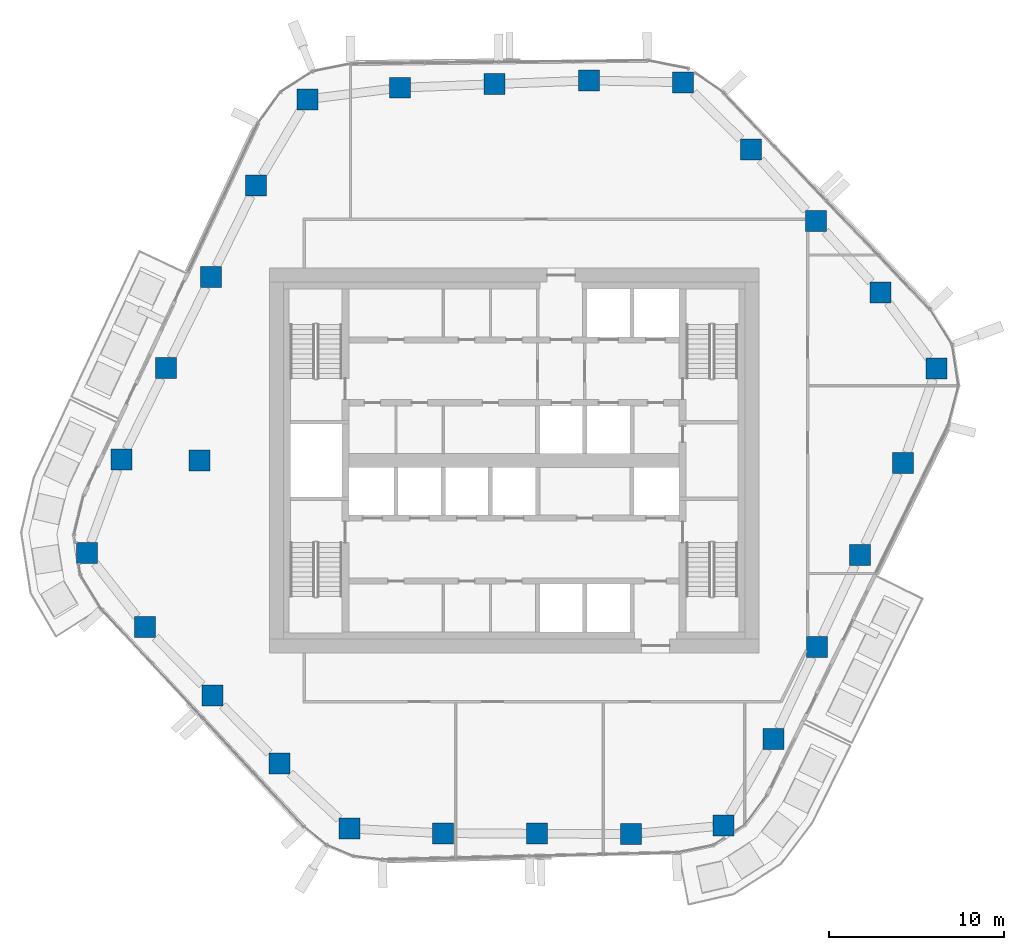
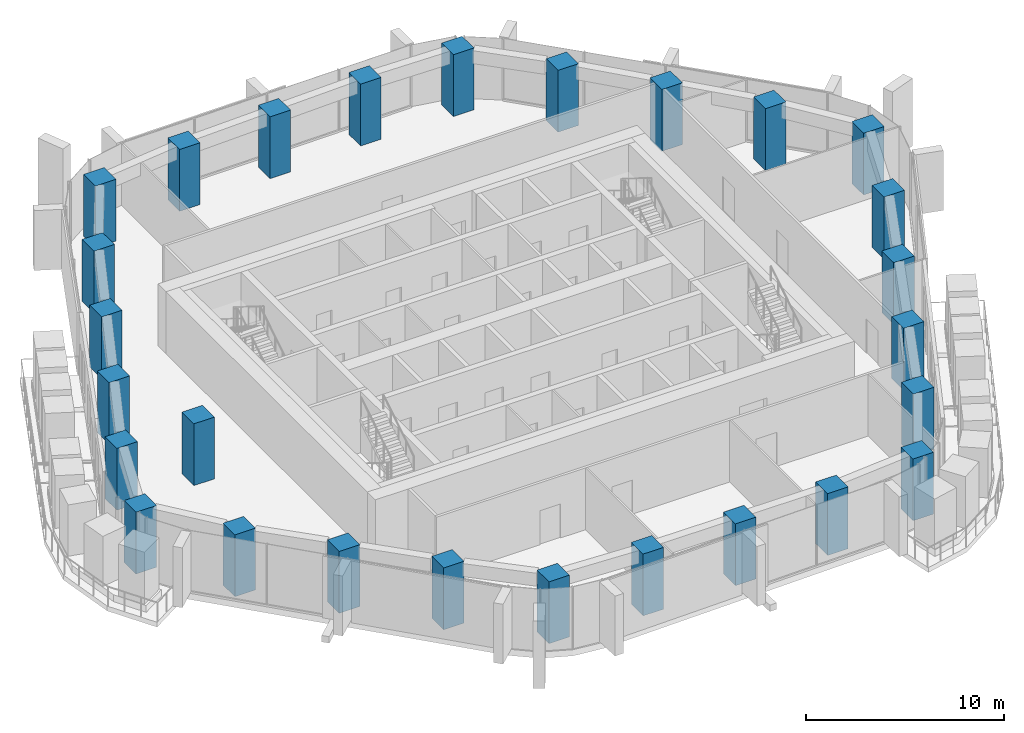
# One storey, part 1 of 17: 27 columns.
"""IFC4 building model written with IfcOpenShell, lengths in metres."""

import ifcopenshell
import ifcopenshell.guid

model = None  # the IFC model being written
_history = None  # IfcOwnerHistory: only IFC2X3 demands one
_inside = {}  # id of a spatial element -> (the spatial element, [elements in it])
_under = {}  # id of a project, library or spatial element -> (it, [spatial elements below it])
_declared = {}  # id of a project -> (the project, [libraries it declares])
_typed = {}  # id of a type object -> (the type object, [elements of that type])
_made_of = {}  # id of a material, layer set ... -> (it, [elements and type objects made of it])


def new_model(schema):
    """Start an empty IFC model of exactly this schema.

    Asked for "IFC4X3", IfcOpenShell would pick the latest addendum, in which some entities
    have other attributes; the version numbers below select the first issue.
    IFC2X3 requires an IfcOwnerHistory on every rooted entity: one is made here for all.
    """
    global model, _history
    if schema == "IFC4X3":
        model = ifcopenshell.file(schema_version=(4, 3, 0, 0))
    else:
        model = ifcopenshell.file(schema=schema)
    _inside.clear()
    _under.clear()
    _declared.clear()
    _typed.clear()
    _made_of.clear()
    _history = None
    if model.schema == "IFC2X3":
        org = make("IfcOrganization", Name="unknown")
        user = make(
            "IfcPersonAndOrganization",
            ThePerson=make("IfcPerson", FamilyName="unknown"),
            TheOrganization=org,
        )
        app = make(
            "IfcApplication",
            ApplicationDeveloper=org,
            Version="unknown",
            ApplicationFullName="unknown",
            ApplicationIdentifier="unknown",
        )
        _history = make(
            "IfcOwnerHistory",
            OwningUser=user,
            OwningApplication=app,
            ChangeAction="ADDED",
            CreationDate=0,
        )
    return model


def make(cls, **values):
    """One entity of the class cls with the attributes given. An attribute that is None is left unset."""
    return model.create_entity(
        cls, **{name: value for name, value in values.items() if value is not None}
    )


def rooted(cls, **values):
    """An entity with a GlobalId (a new one), such as an element, a storey or a relation."""
    return make(cls, GlobalId=ifcopenshell.guid.new(), OwnerHistory=_history, **values)


def si_unit(unit_type, name, prefix=None):
    """IfcSIUnit, for example si_unit("LENGTHUNIT", "METRE", prefix="MILLI")."""
    return make("IfcSIUnit", UnitType=unit_type, Prefix=prefix, Name=name)


def assignment(units):
    """IfcUnitAssignment: the units of a project."""
    return None if units is None else make("IfcUnitAssignment", Units=units)


def point(xyz):
    """IfcCartesianPoint."""
    return None if xyz is None else make("IfcCartesianPoint", Coordinates=xyz)


def direction(xyz):
    """IfcDirection."""
    return None if xyz is None else make("IfcDirection", DirectionRatios=xyz)


def frame(location, z_axis=None, x_axis=None):
    """IfcAxis2Placement3D, a coordinate frame: its origin and axes. An axis left out is left unset."""
    return make(
        "IfcAxis2Placement3D",
        Location=point(location),
        Axis=direction(z_axis),
        RefDirection=direction(x_axis),
    )


def frame_2d(location, x_axis=None):
    """IfcAxis2Placement2D, a coordinate frame in the plane: its origin and x axis."""
    return make(
        "IfcAxis2Placement2D", Location=point(location), RefDirection=direction(x_axis)
    )


def origin():
    """The frame at (0, 0, 0) with its axes left unset."""
    return frame((0.0, 0.0, 0.0))


def origin_2d():
    """The frame at (0, 0) in the plane with its x axis left unset."""
    return frame_2d((0.0, 0.0))


def place(relative_to, where):
    """IfcLocalPlacement: puts the frame where relative to a parent placement (None: the world)."""
    return make(
        "IfcLocalPlacement", PlacementRelTo=relative_to, RelativePlacement=where
    )


def context(
    kind, dimensions, precision=None, world=None, true_north=None, identifier=None
):
    """IfcGeometricRepresentationContext, for example the 3D "Model" context."""
    return make(
        "IfcGeometricRepresentationContext",
        ContextIdentifier=identifier,
        ContextType=kind,
        CoordinateSpaceDimension=dimensions,
        Precision=precision,
        WorldCoordinateSystem=world,
        TrueNorth=true_north,
    )


def subcontext(parent, identifier, kind, view, scale=None):
    """IfcGeometricRepresentationSubContext, for example "Body" below "Model"."""
    return make(
        "IfcGeometricRepresentationSubContext",
        ContextIdentifier=identifier,
        ContextType=kind,
        ParentContext=parent,
        TargetScale=scale,
        TargetView=view,
    )


def project(units=None, contexts=None):
    """IfcProject with its units and contexts."""
    return rooted(
        "IfcProject",
        Name="project",
        RepresentationContexts=contexts,
        UnitsInContext=assignment(units),
    )


def spatial(cls, under=None, at=None, **own):
    """A site, building, storey or space (cls), placed at a placement, below another one or the project."""
    s = rooted(cls, ObjectPlacement=at, **own)
    if under is not None:
        _under.setdefault(under.id(), (under, []))[1].append(s)
    return s


def profile(cls, at=None, kind="AREA", **sizes):
    """A parametric profile (cls). Its sizes go by their IFC names, for example OverallWidth=200.0."""
    return make(cls, ProfileType=kind, Position=at, **sizes)


def rectangle(**sizes):
    """IfcRectangleProfileDef."""
    return profile("IfcRectangleProfileDef", **sizes)


def extrude(swept, where, along, depth):
    """IfcExtrudedAreaSolid: the profile swept, set in the frame where, extruded along a direction by depth."""
    return make(
        "IfcExtrudedAreaSolid",
        SweptArea=swept,
        Position=where,
        ExtrudedDirection=direction(along),
        Depth=depth,
    )


def shape(context_of_items, identifier, shape_type, items):
    """IfcShapeRepresentation: the items that make up one representation, for example the "Body"."""
    return make(
        "IfcShapeRepresentation",
        ContextOfItems=context_of_items,
        RepresentationIdentifier=identifier,
        RepresentationType=shape_type,
        Items=items,
    )


def material(Name=None, Category=None):
    """IfcMaterial."""
    return make("IfcMaterial", Name=Name, Category=Category)


def material_profile(
    of_material, cross_section, Name=None, Category=None, Priority=None
):
    """IfcMaterialProfile: a cross section and its material."""
    return make(
        "IfcMaterialProfile",
        Name=Name,
        Material=of_material,
        Profile=cross_section,
        Priority=Priority,
        Category=Category,
    )


def profile_set(profiles, Name=None, composite=None):
    """IfcMaterialProfileSet."""
    return make(
        "IfcMaterialProfileSet",
        Name=Name,
        MaterialProfiles=profiles,
        CompositeProfile=composite,
    )


def made_of(thing, what):
    """Note that an element or type object is made of a material, layer set ...; save() writes the relation."""
    if what is not None:
        _made_of.setdefault(what.id(), (what, []))[1].append(thing)
    return thing


def type_object(cls, material=None, **own):
    """A type object (cls), such as IfcWallType, which elements share."""
    return made_of(rooted(cls, **own), material)


def element(
    cls,
    number,
    at=None,
    inside=None,
    cuts=None,
    type_object=None,
    material=None,
    context=None,
    identifier="Body",
    shape_type=None,
    held_by="IfcProductDefinitionShape",
    body=None,
    shapes=None,
    **own,
):
    """One element of the class cls, such as IfcWall. Its Tag is "e" and its number.

    at: its placement. inside: the storey or other place that contains it. cuts: it is an
    opening in that element (IfcRelVoidsElement). A single representation is given by context,
    identifier, shape_type and body (its items); several are given by shapes. held_by: the class
    of the entity that holds the representations. save() writes the other relations.
    """
    e = rooted(cls, Tag="e%d" % number, ObjectPlacement=at, **own)
    if body is not None:
        shapes = [shape(context, identifier, shape_type, body)]
    if shapes is not None:
        e.Representation = make(held_by, Representations=shapes)
    if inside is not None:
        _inside.setdefault(inside.id(), (inside, []))[1].append(e)
    if cuts is not None:
        rooted(
            "IfcRelVoidsElement", RelatingBuildingElement=cuts, RelatedOpeningElement=e
        )
    if type_object is not None:
        _typed.setdefault(type_object.id(), (type_object, []))[1].append(e)
    return made_of(e, material)


def aggregate(whole, parts):
    """IfcRelAggregates: a whole, such as a stair, and the parts it consists of."""
    return rooted("IfcRelAggregates", RelatingObject=whole, RelatedObjects=parts)


def save(model, path):
    """Write the relations noted so far, then the file.

    IfcRelAggregates (storeys below a building ...), IfcRelContainedInSpatialStructure (elements
    in a storey), IfcRelDefinesByType, IfcRelAssociatesMaterial and IfcRelDeclares: one each for
    every whole, place, type object, material and project.
    """
    for whole, parts in _under.values():
        aggregate(whole, parts)
    for where, things in _inside.values():
        rooted(
            "IfcRelContainedInSpatialStructure",
            RelatedElements=things,
            RelatingStructure=where,
        )
    for kind, things in _typed.values():
        rooted("IfcRelDefinesByType", RelatedObjects=things, RelatingType=kind)
    for what, things in _made_of.values():
        rooted("IfcRelAssociatesMaterial", RelatedObjects=things, RelatingMaterial=what)
    for by, libraries in _declared.values():
        rooted("IfcRelDeclares", RelatingContext=by, RelatedDefinitions=libraries)
    model.write(path)


model = new_model("IFC4")

# Units and contexts
model_context = context("Model", 3, precision=1e-05, world=origin(), true_north=direction((0.0, 1.0)))
body_context = subcontext(model_context, "Body", "Model", "MODEL_VIEW")
ifc_project = project(units=[si_unit("LENGTHUNIT", "METRE"), si_unit("AREAUNIT", "SQUARE_METRE"), si_unit("VOLUMEUNIT", "CUBIC_METRE"), si_unit("PLANEANGLEUNIT", "RADIAN"), si_unit("MASSUNIT", "GRAM", prefix="KILO")], contexts=[model_context])

# Site, building, storey
site_placement = place(None, origin())
site = spatial("IfcSite", under=ifc_project, at=site_placement, CompositionType="ELEMENT")
building_placement = place(site_placement, origin())
building = spatial("IfcBuilding", under=site, at=building_placement, Name="Dongbaek Canopy Tower", CompositionType="ELEMENT")
storey_placement = place(building_placement, frame((0.0, 0.0, 211.39990234375)))
storey = spatial("IfcBuildingStorey", under=building, at=storey_placement, Name="L44", CompositionType="ELEMENT", Elevation=211.39990234375)

# Columns
ifc_material = material(Name="Concrete C70", Category="concrete")
ifc_material_profile = material_profile(ifc_material, rectangle(XDim=1.199951171875, YDim=1.199951171875, at=origin_2d()), Name="RC COLUMN 1200x1200 C70")
ifc_profile_set = profile_set([ifc_material_profile], Name="Concrete C70")
column_type = type_object("IfcColumnType", Name="RC COLUMN 1200x1200 C70", PredefinedType="COLUMN", material=ifc_profile_set)
for number, where, z_axis, x_axis, name in (
    (1, (11.971923828125, -20.885009765625, 0.0), (0.0, 0.0, 1.0), (1.0, 0.0, 0.0), "COL:CZ3-01:L44"),
    (2, (6.697998046875, -21.3720703125, 0.0), (0.0, 0.0, 1.0), (1.0, 0.0, 0.0), "COL:CZ3-02:L44"),
    (3, (1.321044921875, -21.347900390625, 0.0), (0.0, 0.0, 1.0), (1.0, 0.0, 0.0), "COL:CZ3-03:L44"),
    (4, (-4.054931640625, -21.323974609375, 0.0), (0.0, 0.0, 1.0), (1.0, 0.0, 0.0), "COL:CZ3-04:L44"),
    (5, (-9.407958984375, -21.06103515625, 0.0), (0.0, 0.0, 1.0), (1.0, 0.0, 0.0), "COL:CZ3-05:L44"),
    (6, (-13.409912109375, -17.339111328125, 0.0), (0.0, 0.0, 1.0), (1.0, 0.0, 0.0), "COL:CZ3-06:L44"),
    (7, (-17.258056640625, -13.431884765625, 0.0), (0.0, 0.0, 1.0), (1.0, 0.0, 0.0), "COL:CZ3-07:L44"),
    (8, (-21.10595703125, -9.52490234375, 0.0), (0.0, 0.0, 1.0), (1.0, 0.0, 0.0), "COL:CZ3-08:L44"),
    (9, (-24.43505859375, -5.2939453125, 0.0), (0.0, 0.0, 1.0), (1.0, 0.0, 0.0), "COL:CZ3-09:L44"),
    (10, (-22.4619140625, 0.06689453125, 0.0), (0.0, 0.0, 1.0), (1.0, 0.0, 0.0), "COL:CZ3-10:L44"),
    (11, (-19.89599609375, 5.287109375, 0.0), (0.0, 0.0, 1.0), (1.0, 0.0, 0.0), "COL:CZ3-11:L44"),
    (12, (-17.327880859375, 10.5048828125, 0.0), (0.0, 0.0, 1.0), (1.0, 0.0, 0.0), "COL:CZ3-12:L44"),
    (13, (-14.761962890625, 15.72412109375, 0.0), (0.0, 0.0, 1.0), (1.0, 0.0, 0.0), "COL:CZ3-13:L44"),
    (14, (-11.822998046875, 20.660888671875, 0.0), (0.0, 0.0, 1.0), (1.0, 0.0, 0.0), "COL:CZ3-14:L44"),
    (15, (-6.52197265625, 21.322998046875, 0.0), (0.0, 0.0, 1.0), (1.0, 0.0, 0.0), "COL:CZ3-15:L44"),
    (16, (-1.113037109375, 21.530029296875, 0.0), (0.0, 0.0, 1.0), (1.0, 0.0, 0.0), "COL:CZ3-16:L44"),
    (17, (4.294921875, 21.736083984375, 0.0), (0.0, 0.0, 1.0), (1.0, 0.0, 0.0), "COL:CZ3-17:L44"),
    (18, (9.666015625, 21.635009765625, 0.0), (0.0, 0.0, 1.0), (1.0, 0.0, 0.0), "COL:CZ3-18:L44"),
    (19, (13.56005859375, 17.7919921875, 0.0), (0.0, 0.0, 1.0), (1.0, 0.0, 0.0), "COL:CZ3-19:L44"),
    (20, (17.260986328125, 13.7060546875, 0.0), (0.0, 0.0, 1.0), (1.0, 0.0, 0.0), "COL:CZ3-20:L44"),
    (21, (20.9599609375, 9.62109375, 0.0), (0.0, 0.0, 1.0), (1.0, 0.0, 0.0), "COL:CZ3-21:L44"),
    (22, (24.179931640625, 5.257080078125, 0.0), (0.0, 0.0, 1.0), (1.0, 0.0, 0.0), "COL:CZ3-22:L44"),
    (23, (22.25390625, -0.134033203125, 0.0), (0.0, 0.0, 1.0), (1.0, 0.0, 0.0), "COL:CZ3-23:L44"),
    (24, (19.7880859375, -5.39892578125, 0.0), (0.0, 0.0, 1.0), (1.0, 0.0, 0.0), "COL:CZ3-24:L44"),
    (25, (17.322021484375, -10.666015625, 0.0), (0.0, 0.0, 1.0), (1.0, 0.0, 0.0), "COL:CZ3-25:L44"),
    (26, (14.85498046875, -15.931884765625, 0.0), (0.0, 0.0, 1.0), (1.0, 0.0, 0.0), "COL:CZ3-26:L44"),
    (27, (-18.0, 0.0, 0.0), (0.0, 0.0, 1.0), (1.0, 0.0, 0.0), "COL:CIZ3-01:L44"),
):
    element("IfcColumn", number, at=place(storey_placement, frame(where, z_axis=z_axis, x_axis=x_axis)), inside=storey, type_object=column_type, Name=name, PredefinedType="COLUMN", context=body_context, shape_type="SweptSolid", body=[
        extrude(rectangle(XDim=1.199951171875, YDim=1.199951171875, at=origin_2d()), origin(), (0.0, 0.0, 1.0), 3.820068359375),
    ])

save(model, "model.ifc")
